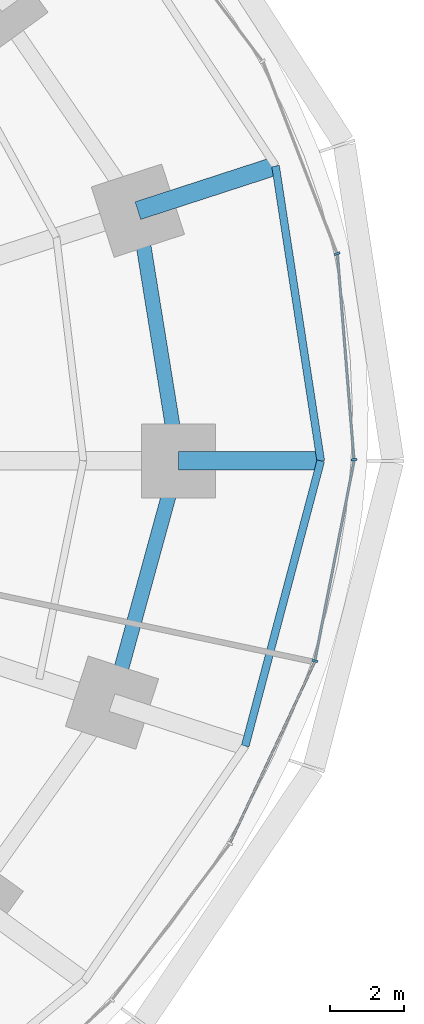
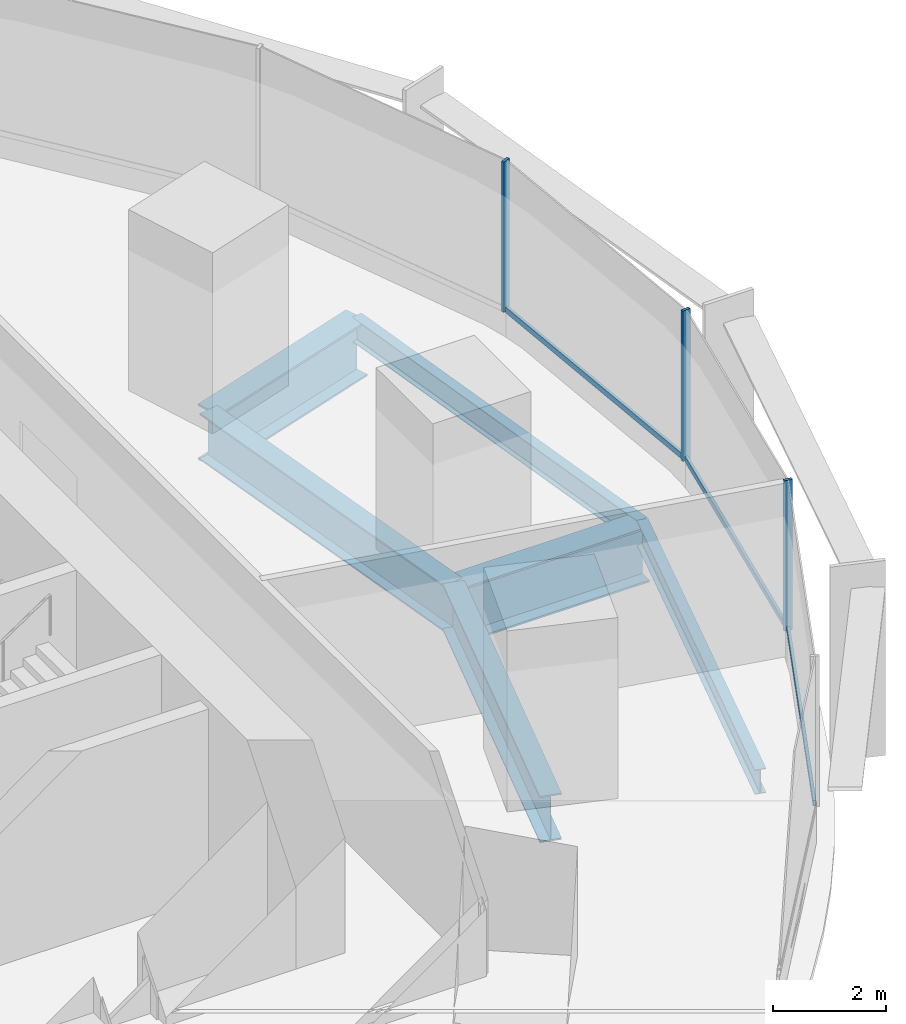
# One storey, part 6 of 15: 6 beams, 6 members, 2 elements without a shape of their own.
"""IFC4 building model written with IfcOpenShell, lengths in metres."""

from ifc_helpers import new_model, si_unit, direction, frame, origin, origin_2d, place, context, subcontext, project, spatial, rectangle, i_section, extrude, material, material_profile, profile_set, type_object, element, aggregate, save


model = new_model("IFC4")

# Units and contexts
model_context = context("Model", 3, precision=1e-05, world=origin(), true_north=direction((0.0, 1.0)))
body_context = subcontext(model_context, "Body", "Model", "MODEL_VIEW")
ifc_project = project(units=[si_unit("LENGTHUNIT", "METRE"), si_unit("AREAUNIT", "SQUARE_METRE"), si_unit("VOLUMEUNIT", "CUBIC_METRE"), si_unit("PLANEANGLEUNIT", "RADIAN"), si_unit("MASSUNIT", "GRAM", prefix="KILO")], contexts=[model_context])

# Site, building, storey
site_placement = place(None, origin())
site = spatial("IfcSite", under=ifc_project, at=site_placement, CompositionType="ELEMENT")
building_placement = place(site_placement, origin())
building = spatial("IfcBuilding", under=site, at=building_placement, Name="Marramba Exchange Tower", CompositionType="ELEMENT")
storey_placement = place(building_placement, frame((0.0, 0.0, 32.199951171875)))
storey = spatial("IfcBuildingStorey", under=building, at=storey_placement, Name="L07", CompositionType="ELEMENT", Elevation=32.199951171875)

# Beams
ifc_material_1 = material(Name="Steel AS/NZS 3679.2 grade 300", Category="steel")
ifc_material_profile_1 = material_profile(ifc_material_1, i_section(OverallWidth=0.5, OverallDepth=1.199951171875, WebThickness=0.01611328125, FlangeThickness=0.0400390625, at=origin_2d()), Name="1200WB455")
ifc_profile_set_1 = profile_set([ifc_material_profile_1], Name="Steel AS/NZS 3679.2 grade 300")
beam_type_1 = type_object("IfcBeamType", Name="Cantilever girder 1200WB455", PredefinedType="BEAM", material=ifc_profile_set_1)
beam_1_placement = place(storey_placement, frame((21.89990234375, 0.0, -0.760009765625), z_axis=(1.0, 0.0, 0.0), x_axis=(0.0, 1.0, 0.0)))
element("IfcBeam", 1, at=beam_1_placement, inside=storey, type_object=beam_type_1, Name="Cantilever girder L07 TC01", PredefinedType="BEAM", context=body_context, shape_type="SweptSolid", body=[
    extrude(i_section(OverallWidth=0.5, OverallDepth=1.199951171875, WebThickness=0.01611328125, FlangeThickness=0.0400390625, at=origin_2d()), origin(), (0.0, 0.0, 1.0), 3.85009765625),
])
beam_2_placement = place(storey_placement, frame((20.808349609375, 6.760986328125, -0.760009765625), z_axis=(0.951058833549, 0.309009862508, 0.0), x_axis=(-0.309009862508, 0.951058833549, 0.0)))
element("IfcBeam", 2, at=beam_2_placement, inside=storey, type_object=beam_type_1, Name="Cantilever girder L07 TC02", PredefinedType="BEAM", context=body_context, shape_type="SweptSolid", body=[
    extrude(i_section(OverallWidth=0.5, OverallDepth=1.199951171875, WebThickness=0.01611328125, FlangeThickness=0.0400390625, at=origin_2d()), origin(), (0.0, 0.0, 1.0), 3.91162109375),
])
ifc_material_profile_2 = material_profile(ifc_material_1, i_section(OverallWidth=0.39990234375, OverallDepth=1.0, WebThickness=0.01611328125, FlangeThickness=0.031982421875, at=origin_2d()), Name="1000WB322")
ifc_profile_set_2 = profile_set([ifc_material_profile_2], Name="Steel AS/NZS 3679.2 grade 300")
beam_type_2 = type_object("IfcBeamType", Name="Ring beam 1000WB322", PredefinedType="SPANDREL", material=ifc_profile_set_2)
beam_3_placement = place(storey_placement, frame((21.89990234375, 0.0, -0.659912109375), z_axis=(-0.159384865399, 0.987216523708, 0.0), x_axis=(-0.987216523708, -0.159384865399, 0.0)))
element("IfcBeam", 3, at=beam_3_placement, inside=storey, type_object=beam_type_2, Name="Ring beam L07 TC01-TC02", PredefinedType="SPANDREL", context=body_context, shape_type="SweptSolid", body=[
    extrude(i_section(OverallWidth=0.39990234375, OverallDepth=1.0, WebThickness=0.01611328125, FlangeThickness=0.031982421875, at=origin_2d()), origin(), (0.0, 0.0, 1.0), 6.8486328125),
])
beam_4_placement = place(storey_placement, frame((20.109375, -6.533935546875, -0.659912109375), z_axis=(0.264291166956, 0.964442937176, 0.0), x_axis=(-0.964442937176, 0.264291166956, 0.0)))
element("IfcBeam", 4, at=beam_4_placement, inside=storey, type_object=beam_type_2, Name="Ring beam L07 TC20-TC01", PredefinedType="SPANDREL", context=body_context, shape_type="SweptSolid", body=[
    extrude(i_section(OverallWidth=0.39990234375, OverallDepth=1.0, WebThickness=0.01611328125, FlangeThickness=0.031982421875, at=origin_2d()), origin(), (0.0, 0.0, 1.0), 6.77490234375),
])
ifc_material_2 = material(Name="Steel AS/NZS 3679.1 grade 300", Category="steel")
ifc_material_profile_3 = material_profile(ifc_material_2, i_section(OverallWidth=0.208984375, OverallDepth=0.528076171875, WebThickness=0.009521484375, FlangeThickness=0.01318359375, FilletRadius=0.013916015625, at=origin_2d()), Name="530UB82.0")
ifc_profile_set_3 = profile_set([ifc_material_profile_3], Name="Steel AS/NZS 3679.1 grade 300")
beam_type_3 = type_object("IfcBeamType", Name="Slab edge beam 530UB82.0", PredefinedType="SPANDREL", material=ifc_profile_set_3)
beam_5_placement = place(storey_placement, frame((25.75, 0.0, -0.424072265625), z_axis=(-0.151490591645, 0.988458699513, 0.0), x_axis=(-0.988458699513, -0.151490591645, 0.0)))
element("IfcBeam", 5, at=beam_5_placement, inside=storey, type_object=beam_type_3, Name="Slab edge beam L07 TC01-TC02", PredefinedType="SPANDREL", context=body_context, shape_type="SweptSolid", body=[
    extrude(i_section(OverallWidth=0.208984375, OverallDepth=0.528076171875, WebThickness=0.009521484375, FlangeThickness=0.01318359375, FilletRadius=0.013916015625, at=origin_2d()), origin(), (0.0, 0.0, 1.0), 8.062744140625),
])
beam_6_placement = place(storey_placement, frame((23.709716796875, -7.703857421875, -0.424072265625), z_axis=(0.25601296674, 0.966673347549, 0.0), x_axis=(-0.966673347549, 0.25601296674, 0.0)))
element("IfcBeam", 6, at=beam_6_placement, inside=storey, type_object=beam_type_3, Name="Slab edge beam L07 TC20-TC01", PredefinedType="SPANDREL", context=body_context, shape_type="SweptSolid", body=[
    extrude(i_section(OverallWidth=0.208984375, OverallDepth=0.528076171875, WebThickness=0.009521484375, FlangeThickness=0.01318359375, FilletRadius=0.013916015625, at=origin_2d()), origin(), (0.0, 0.0, 1.0), 7.969482421875),
])

# Curtain wall, members
ifc_material_3 = material(Name="Aluminium framing, bronze anodised", Category="aluminium")
curtain_wall_type = type_object("IfcCurtainWallType", Name="Trading floor ribbon curtain wall", PredefinedType="USERDEFINED", material=ifc_material_3)
curtain_wall_1_placement = place(storey_placement, origin())
curtain_wall_1 = element("IfcCurtainWall", 7, at=curtain_wall_1_placement, inside=storey, type_object=curtain_wall_type, Name="Curtain wall CW3 L07 F01-F05", ObjectType="RIBBON CURTAIN WALL", PredefinedType="USERDEFINED")
ifc_material_4 = material(Name="Aluminium mullion, bronze anodised", Category="aluminium")
ifc_material_profile_4 = material_profile(ifc_material_4, rectangle(XDim=0.159912109375, YDim=0.06005859375, at=origin_2d()), Name="CW3 mullion 60x160")
ifc_profile_set_4 = profile_set([ifc_material_profile_4], Name="Aluminium mullion, bronze anodised")
member_type_1 = type_object("IfcMemberType", Name="Trading floor ribbon curtain wall mullion", PredefinedType="MULLION", material=ifc_profile_set_4)
member_1_placement = place(storey_placement, frame((26.647705078125, 0.02978515625, 0.800048828125), z_axis=(0.0, 0.0, 1.0), x_axis=(-0.996772736434, -0.080275225953, 0.0)))
member_1 = element("IfcMember", 8, at=member_1_placement, type_object=member_type_1, Name="CW3 mullion 1", PredefinedType="MULLION", context=body_context, shape_type="SweptSolid", body=[
    extrude(rectangle(XDim=0.159912109375, YDim=0.06005859375, at=origin_2d()), origin(), (0.0, 0.0, 1.0), 3.239990234375),
])
member_2_placement = place(storey_placement, frame((26.190673828125, 5.597412109375, 0.800048828125), z_axis=(0.0, 0.0, 1.0), x_axis=(-0.933135256626, -0.359525510698, 0.0)))
member_2 = element("IfcMember", 9, at=member_2_placement, type_object=member_type_1, Name="CW3 mullion 1", PredefinedType="MULLION", context=body_context, shape_type="SweptSolid", body=[
    extrude(rectangle(XDim=0.159912109375, YDim=0.06005859375, at=origin_2d()), origin(), (0.0, 0.0, 1.0), 3.239990234375),
])

# Curtain wall, member
curtain_wall_2_placement = place(storey_placement, origin())
curtain_wall_2 = element("IfcCurtainWall", 10, at=curtain_wall_2_placement, inside=storey, type_object=curtain_wall_type, Name="Curtain wall CW3 L07 F26-F30", ObjectType="RIBBON CURTAIN WALL", PredefinedType="USERDEFINED")
member_3_placement = place(storey_placement, frame((25.59033203125, -5.40869140625, 0.800048828125), z_axis=(0.0, 0.0, 1.0), x_axis=(-0.981346261612, 0.1922485756, 0.0)))
member_3 = element("IfcMember", 11, at=member_3_placement, type_object=member_type_1, Name="CW3 mullion 1", PredefinedType="MULLION", context=body_context, shape_type="SweptSolid", body=[
    extrude(rectangle(XDim=0.159912109375, YDim=0.06005859375, at=origin_2d()), origin(), (0.0, 0.0, 1.0), 3.239990234375),
])

# Member
ifc_material_5 = material(Name="Aluminium transom, bronze anodised", Category="aluminium")
ifc_material_profile_5 = material_profile(ifc_material_5, rectangle(XDim=0.06005859375, YDim=0.1201171875, at=origin_2d()), Name="CW3 transom 60x120")
ifc_profile_set_5 = profile_set([ifc_material_profile_5], Name="Aluminium transom, bronze anodised")
member_type_2 = type_object("IfcMemberType", Name="Trading floor ribbon curtain wall transom", PredefinedType="USERDEFINED", material=ifc_profile_set_5)
member_4_placement = place(storey_placement, frame((26.645263671875, 0.059814453125, 0.830078125), z_axis=(-0.080299960686, 0.99677074411, 0.0), x_axis=(-0.99677074411, -0.080299960686, 0.0)))
member_4 = element("IfcMember", 12, at=member_4_placement, type_object=member_type_2, Name="CW3 sill transom", ObjectType="TRANSOM", PredefinedType="USERDEFINED", context=body_context, shape_type="SweptSolid", body=[
    extrude(rectangle(XDim=0.06005859375, YDim=0.1201171875, at=origin_2d()), origin(), (0.0, 0.0, 1.0), 5.52734375),
])

aggregate(curtain_wall_1, [member_1, member_4, member_2])

member_5_placement = place(storey_placement, frame((23.306640625, -10.31103515625, 0.830078125), z_axis=(0.423511514213, 0.905890720412, 0.0), x_axis=(-0.905890720412, 0.423511514213, 0.0)))
member_5 = element("IfcMember", 13, at=member_5_placement, type_object=member_type_2, Name="CW3 sill transom", ObjectType="TRANSOM", PredefinedType="USERDEFINED", context=body_context, shape_type="SweptSolid", body=[
    extrude(rectangle(XDim=0.06005859375, YDim=0.1201171875, at=origin_2d()), origin(), (0.0, 0.0, 1.0), 5.37890625),
])

member_6_placement = place(storey_placement, frame((25.59619140625, -5.37939453125, 0.830078125), z_axis=(0.192226081646, 0.981350667975, 0.0), x_axis=(-0.981350667975, 0.192226081646, 0.0)))
member_6 = element("IfcMember", 14, at=member_6_placement, type_object=member_type_2, Name="CW3 sill transom", ObjectType="TRANSOM", PredefinedType="USERDEFINED", context=body_context, shape_type="SweptSolid", body=[
    extrude(rectangle(XDim=0.06005859375, YDim=0.1201171875, at=origin_2d()), origin(), (0.0, 0.0, 1.0), 5.481689453125),
])

aggregate(curtain_wall_2, [member_5, member_3, member_6])

save(model, "model.ifc")
